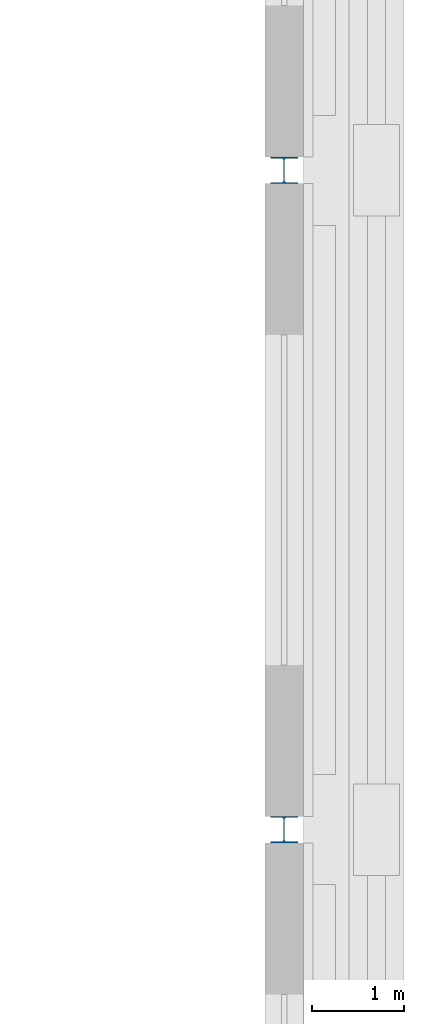
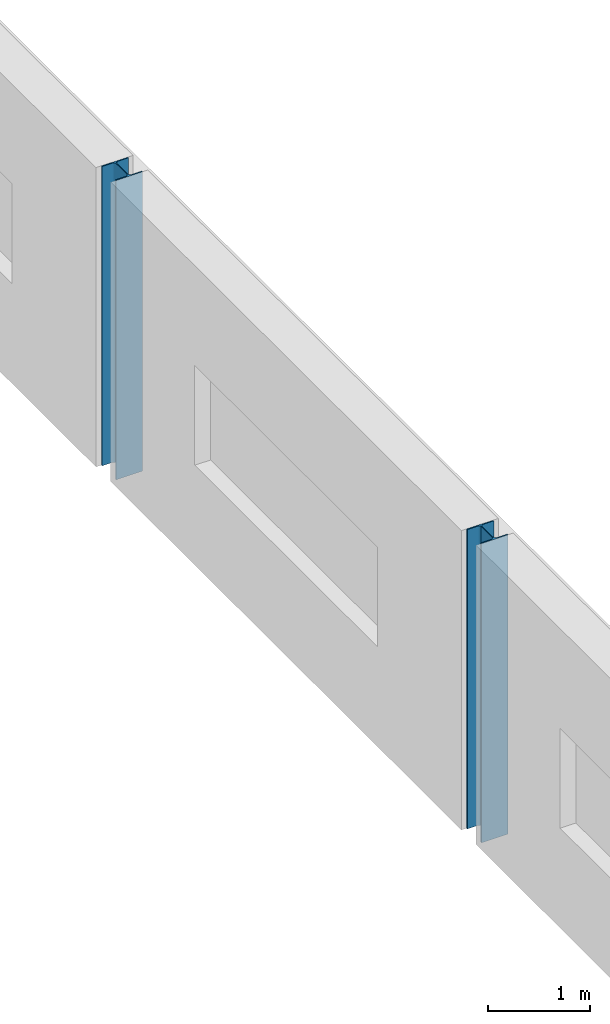
# One storey, part 13 of 110: 2 columns.
"""IFC4 building model written with IfcOpenShell, lengths in metres."""

from ifc_helpers import new_model, si_unit, direction, frame, origin, origin_2d, place, context, subcontext, project, spatial, i_section, extrude, material, material_profile, profile_set, type_object, element, save


model = new_model("IFC4")

# Units and contexts
model_context = context("Model", 3, precision=1e-05, world=origin(), true_north=direction((0.0, 1.0)))
body_context = subcontext(model_context, "Body", "Model", "MODEL_VIEW")
ifc_project = project(units=[si_unit("LENGTHUNIT", "METRE"), si_unit("AREAUNIT", "SQUARE_METRE"), si_unit("VOLUMEUNIT", "CUBIC_METRE"), si_unit("PLANEANGLEUNIT", "RADIAN"), si_unit("MASSUNIT", "GRAM", prefix="KILO")], contexts=[model_context])

# Site, building, storey
site_placement = place(None, origin())
site = spatial("IfcSite", under=ifc_project, at=site_placement, CompositionType="ELEMENT")
building_placement = place(site_placement, origin())
building = spatial("IfcBuilding", under=site, at=building_placement, Name="Kupolbacken Congress Centre", CompositionType="ELEMENT")
storey_placement = place(building_placement, frame((0.0, 0.0, 18.0)))
storey = spatial("IfcBuildingStorey", under=building, at=storey_placement, Name="L05", CompositionType="ELEMENT", Elevation=18.0)

# Columns
ifc_material = material(Name="Steel S355", Category="steel")
ifc_material_profile = material_profile(ifc_material, i_section(OverallWidth=0.300048828125, OverallDepth=0.2900390625, WebThickness=0.008544921875, FlangeThickness=0.013916015625, FilletRadius=0.027099609375, at=origin_2d()), Name="HEA 300")
ifc_profile_set = profile_set([ifc_material_profile], Name="Steel S355")
column_type = type_object("IfcColumnType", Name="C09 column HEA 300", PredefinedType="COLUMN", material=ifc_profile_set)
for number, where, z_axis, x_axis, name in (
    (1, (201.60009765625, 79.199951171875, 0.0), (0.0, 0.0, 1.0), (1.0, 0.0, 0.0), "S/col/C-H-PE06/L05"),
    (2, (201.60009765625, 86.39990234375, 0.0), (0.0, 0.0, 1.0), (1.0, 0.0, 0.0), "S/col/C-H-PE07/L05"),
):
    element("IfcColumn", number, at=place(storey_placement, frame(where, z_axis=z_axis, x_axis=x_axis)), inside=storey, type_object=column_type, Name=name, PredefinedType="COLUMN", context=body_context, shape_type="SweptSolid", body=[
        extrude(i_section(OverallWidth=0.300048828125, OverallDepth=0.2900390625, WebThickness=0.008544921875, FlangeThickness=0.013916015625, FilletRadius=0.027099609375, at=origin_2d()), origin(), (0.0, 0.0, 1.0), 3.60009765625),
    ])

save(model, "model.ifc")
